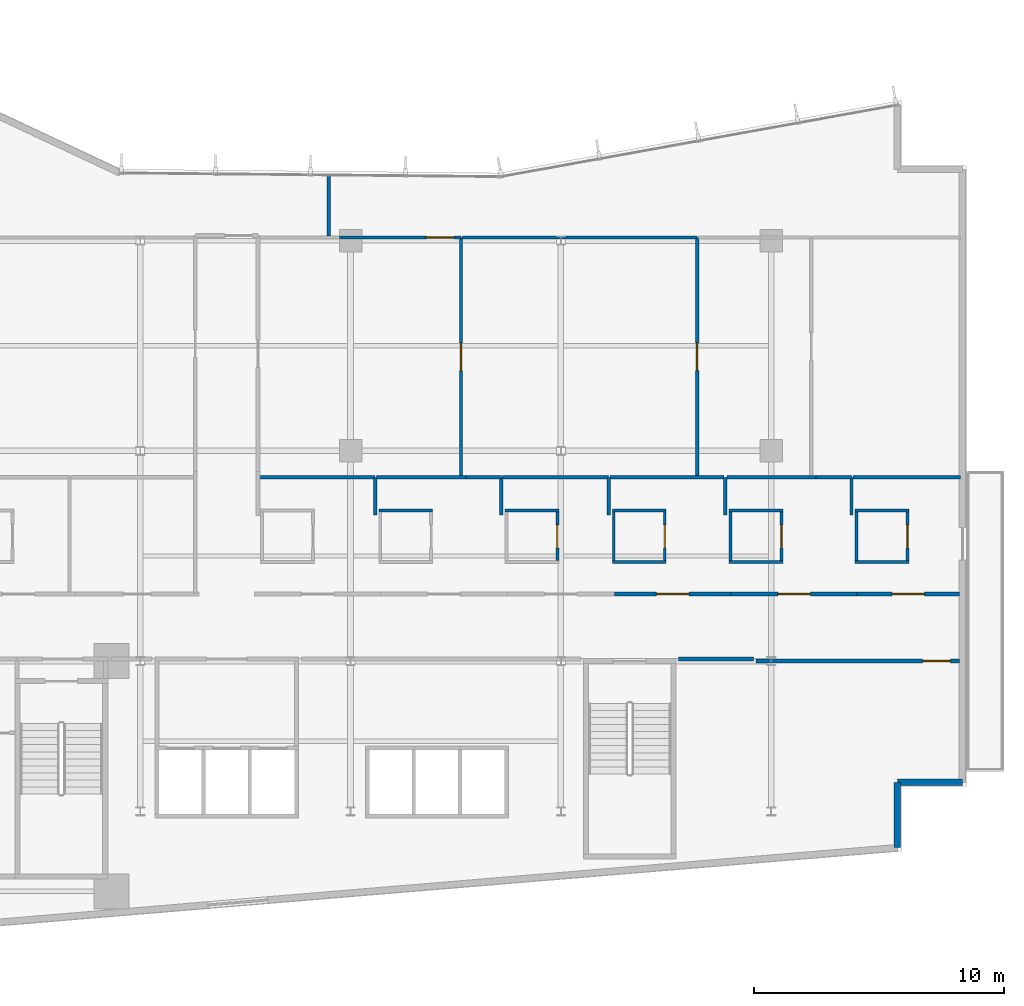
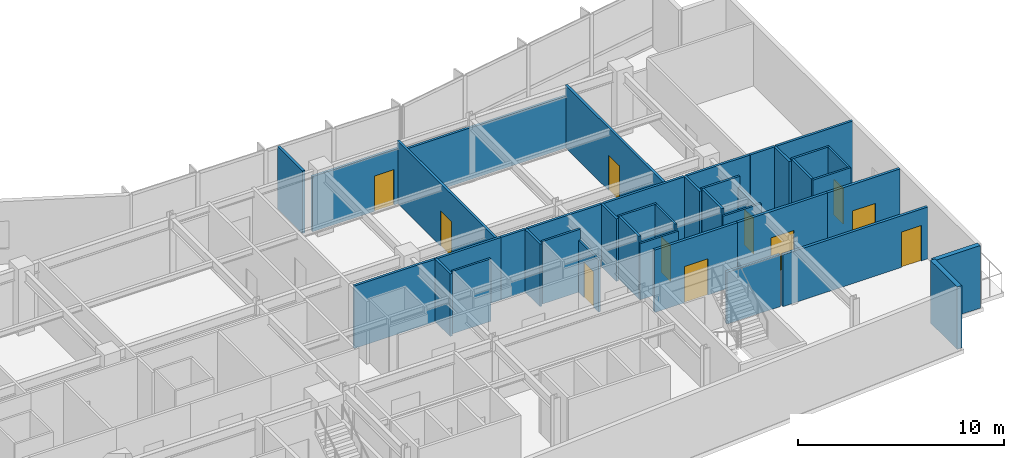
# One storey, part 13 of 19: 40 walls, 11 doors, 11 openings.
"""IFC4 building model written with IfcOpenShell, lengths in metres."""

from ifc_helpers import new_model, si_unit, direction, frame, frame_2d, origin, place, context, subcontext, project, spatial, rectangle, extrude, material, layer, layer_set, type_object, element, fill, save


model = new_model("IFC4")

# Units and contexts
model_context = context("Model", 3, precision=1e-05, world=origin(), true_north=direction((0.0, 1.0)))
body_context = subcontext(model_context, "Body", "Model", "MODEL_VIEW")
ifc_project = project(units=[si_unit("LENGTHUNIT", "METRE"), si_unit("AREAUNIT", "SQUARE_METRE"), si_unit("VOLUMEUNIT", "CUBIC_METRE"), si_unit("PLANEANGLEUNIT", "RADIAN"), si_unit("MASSUNIT", "GRAM", prefix="KILO")], contexts=[model_context])

# Site, building, storey
site_placement = place(None, origin())
site = spatial("IfcSite", under=ifc_project, at=site_placement, CompositionType="ELEMENT")
building_placement = place(site_placement, origin())
building = spatial("IfcBuilding", under=site, at=building_placement, Name="Varnakote Quay Hospital", CompositionType="ELEMENT")
storey_placement = place(building_placement, frame((0.0, 0.0, 50.14990234375)))
storey = spatial("IfcBuildingStorey", under=building, at=storey_placement, Name="L12", CompositionType="ELEMENT", Elevation=50.14990234375)

# Walls
ifc_material_1 = material(Name="Fire-rated acoustic gypsum stud wall", Category="gypsum")
ifc_layer_1 = layer(ifc_material_1, 0.159912109375)
ifc_layer_set_1 = layer_set([ifc_layer_1], Name="Fire-rated acoustic gypsum stud wall")
wall_type_1 = type_object("IfcWallType", Name="WL-COMP-160", PredefinedType="PARTITIONING", material=ifc_layer_set_1)
wall_1_placement = place(storey_placement, frame((46.689208984375, 12.080078125, 0.0), z_axis=(0.0, 0.0, 1.0), x_axis=(1.0, 0.0, 0.0)))
element("IfcWall", 1, at=wall_1_placement, inside=storey, type_object=wall_type_1, Name="L12 Corridor South Gap Wall", PredefinedType="PARTITIONING", context=body_context, shape_type="SweptSolid", body=[
    extrude(rectangle(XDim=3.0107421875, YDim=0.159912109375, at=frame_2d((1.50537109375, 0.0))), origin(), (0.0, 0.0, 1.0), 3.072998046875),
])
ifc_material_2 = material(Name="Moisture-resistant bathroom partition", Category="gypsum")
ifc_layer_2 = layer(ifc_material_2, 0.114990234375)
ifc_layer_set_2 = layer_set([ifc_layer_2], Name="Moisture-resistant bathroom partition")
wall_type_2 = type_object("IfcWallType", Name="WL-ENS-115", PredefinedType="PARTITIONING", material=ifc_layer_set_2)
wall_2_placement = place(storey_placement, frame((34.72509765625, 18.017578125, 0.0), z_axis=(0.0, 0.0, 1.0), x_axis=(1.0, 0.0, 0.0)))
element("IfcWall", 2, at=wall_2_placement, inside=storey, type_object=wall_type_2, Name="L12 Inpatient En-Suite Bathroom 05 N Wall", PredefinedType="PARTITIONING", context=body_context, shape_type="SweptSolid", body=[
    extrude(rectangle(XDim=2.14990234375, YDim=0.114990234375, at=frame_2d((1.074951171875, 0.0))), origin(), (0.0, 0.0, 1.0), 3.710205078125),
])
wall_3_placement = place(storey_placement, frame((39.764892578125, 18.017578125, 0.0), z_axis=(0.0, 0.0, 1.0), x_axis=(1.0, 0.0, 0.0)))
element("IfcWall", 3, at=wall_3_placement, inside=storey, type_object=wall_type_2, Name="L12 Inpatient En-Suite Bathroom 06 N Wall", PredefinedType="PARTITIONING", context=body_context, shape_type="SweptSolid", body=[
    extrude(rectangle(XDim=2.150146484375, YDim=0.114990234375, at=frame_2d((1.0751953125, 0.0))), origin(), (0.0, 0.0, 1.0), 3.710205078125),
])

# Wall, opening, door
wall_4_placement = place(storey_placement, frame((41.857421875, 16.010009765625, 0.0), z_axis=(0.0, 0.0, 1.0), x_axis=(0.0, 1.0, 0.0)))
wall_4 = element("IfcWall", 4, at=wall_4_placement, inside=storey, type_object=wall_type_2, Name="L12 Inpatient En-Suite Bathroom 06 E Wall", PredefinedType="PARTITIONING", context=body_context, shape_type="SweptSolid", body=[
    extrude(rectangle(XDim=1.949951171875, YDim=0.114990234375, at=frame_2d((0.97509765625, 0.0))), origin(), (0.0, 0.0, 1.0), 3.072998046875),
])
opening_1_placement = place(wall_4_placement, frame((0.514892578125, 0.0, 0.0)))
opening_1 = element("IfcOpeningElement", 5, at=opening_1_placement, cuts=wall_4, Name="Opening D-L12-ENS06", PredefinedType="OPENING", context=body_context, shape_type="SweptSolid", body=[
    extrude(rectangle(XDim=0.919921875, YDim=2.10009765625, at=frame_2d((0.4599609375, 1.050048828125))), frame((0.0, 0.0673828125, 0.0), z_axis=(0.0, -1.0, 0.0), x_axis=(1.0, 0.0, 0.0)), (0.0, 0.0, 1.0), 0.135009765625),
])
ifc_material_3 = material(Name="Moisture-sealed en-suite bathroom door")
door_type_1 = type_object("IfcDoorType", Name="DR-ENS-920x2100", OperationType="NOTDEFINED", PredefinedType="DOOR", material=ifc_material_3)
door_1_placement = place(opening_1_placement, origin())
door_1 = element("IfcDoor", 6, at=door_1_placement, inside=storey, type_object=door_type_1, Name="L12 Inpatient En-Suite Bathroom 06 Door", OperationType="SINGLE_SWING_RIGHT", OverallHeight=2.10009765625, OverallWidth=0.919921875, PredefinedType="DOOR", context=body_context, shape_type="SweptSolid", body=[
    extrude(rectangle(XDim=0.919921875, YDim=2.10009765625, at=frame_2d((0.4599609375, 1.050048828125))), frame((0.0, 0.02490234375, 0.0), z_axis=(0.0, -1.0, 0.0), x_axis=(1.0, 0.0, 0.0)), (0.0, 0.0, 1.0), 0.050048828125),
])
fill(opening_1, door_1)

# Walls
wall_5_placement = place(storey_placement, frame((44.054931640625, 15.952392578125, 0.0), z_axis=(0.0, 0.0, 1.0), x_axis=(1.0, 0.0, 0.0)))
element("IfcWall", 7, at=wall_5_placement, inside=storey, type_object=wall_type_2, Name="L12 Inpatient En-Suite Bathroom 07 S Wall", PredefinedType="PARTITIONING", context=body_context, shape_type="SweptSolid", body=[
    extrude(rectangle(XDim=2.150146484375, YDim=0.114990234375, at=frame_2d((1.0751953125, 0.0))), origin(), (0.0, 0.0, 1.0), 3.3291015625),
])
wall_6_placement = place(storey_placement, frame((44.054931640625, 18.017578125, 0.0), z_axis=(0.0, 0.0, 1.0), x_axis=(1.0, 0.0, 0.0)))
element("IfcWall", 8, at=wall_6_placement, inside=storey, type_object=wall_type_2, Name="L12 Inpatient En-Suite Bathroom 07 N Wall", PredefinedType="PARTITIONING", context=body_context, shape_type="SweptSolid", body=[
    extrude(rectangle(XDim=2.150146484375, YDim=0.114990234375, at=frame_2d((1.0751953125, 0.0))), origin(), (0.0, 0.0, 1.0), 3.710205078125),
])
wall_7_placement = place(storey_placement, frame((44.112548828125, 16.010009765625, 0.0), z_axis=(0.0, 0.0, 1.0), x_axis=(0.0, 1.0, 0.0)))
element("IfcWall", 9, at=wall_7_placement, inside=storey, type_object=wall_type_2, Name="L12 Inpatient En-Suite Bathroom 07 W Wall", PredefinedType="PARTITIONING", context=body_context, shape_type="SweptSolid", body=[
    extrude(rectangle(XDim=1.949951171875, YDim=0.114990234375, at=frame_2d((0.97509765625, 0.0))), origin(), (0.0, 0.0, 1.0), 3.710205078125),
])

# Wall, opening, door
wall_8_placement = place(storey_placement, frame((46.1474609375, 16.010009765625, 0.0), z_axis=(0.0, 0.0, 1.0), x_axis=(0.0, 1.0, 0.0)))
wall_8 = element("IfcWall", 10, at=wall_8_placement, inside=storey, type_object=wall_type_2, Name="L12 Inpatient En-Suite Bathroom 07 E Wall", PredefinedType="PARTITIONING", context=body_context, shape_type="SweptSolid", body=[
    extrude(rectangle(XDim=1.949951171875, YDim=0.114990234375, at=frame_2d((0.97509765625, 0.0))), origin(), (0.0, 0.0, 1.0), 3.710205078125),
])
opening_2_placement = place(wall_8_placement, frame((0.514892578125, 0.0, 0.0)))
opening_2 = element("IfcOpeningElement", 11, at=opening_2_placement, cuts=wall_8, Name="Opening D-L12-ENS07", PredefinedType="OPENING", context=body_context, shape_type="SweptSolid", body=[
    extrude(rectangle(XDim=0.919921875, YDim=2.10009765625, at=frame_2d((0.4599609375, 1.050048828125))), frame((0.0, 0.0673828125, 0.0), z_axis=(0.0, -1.0, 0.0), x_axis=(1.0, 0.0, 0.0)), (0.0, 0.0, 1.0), 0.135009765625),
])
door_2_placement = place(opening_2_placement, origin())
door_2 = element("IfcDoor", 12, at=door_2_placement, inside=storey, type_object=door_type_1, Name="L12 Inpatient En-Suite Bathroom 07 Door", OperationType="SINGLE_SWING_LEFT", OverallHeight=2.10009765625, OverallWidth=0.919921875, PredefinedType="DOOR", context=body_context, shape_type="SweptSolid", body=[
    extrude(rectangle(XDim=0.919921875, YDim=2.10009765625, at=frame_2d((0.4599609375, 1.050048828125))), frame((0.0, 0.02490234375, 0.0), z_axis=(0.0, -1.0, 0.0), x_axis=(1.0, 0.0, 0.0)), (0.0, 0.0, 1.0), 0.050048828125),
])
fill(opening_2, door_2)

# Walls
wall_9_placement = place(storey_placement, frame((48.715087890625, 15.952392578125, 0.0), z_axis=(0.0, 0.0, 1.0), x_axis=(1.0, 0.0, 0.0)))
element("IfcWall", 13, at=wall_9_placement, inside=storey, type_object=wall_type_2, Name="L12 Inpatient En-Suite Bathroom 08 S Wall", PredefinedType="PARTITIONING", context=body_context, shape_type="SweptSolid", body=[
    extrude(rectangle(XDim=2.14990234375, YDim=0.114990234375, at=frame_2d((1.074951171875, 0.0))), origin(), (0.0, 0.0, 1.0), 3.3291015625),
])
wall_10_placement = place(storey_placement, frame((48.715087890625, 18.017578125, 0.0), z_axis=(0.0, 0.0, 1.0), x_axis=(1.0, 0.0, 0.0)))
element("IfcWall", 14, at=wall_10_placement, inside=storey, type_object=wall_type_2, Name="L12 Inpatient En-Suite Bathroom 08 N Wall", PredefinedType="PARTITIONING", context=body_context, shape_type="SweptSolid", body=[
    extrude(rectangle(XDim=2.14990234375, YDim=0.114990234375, at=frame_2d((1.074951171875, 0.0))), origin(), (0.0, 0.0, 1.0), 3.710205078125),
])
wall_11_placement = place(storey_placement, frame((48.7724609375, 16.010009765625, 0.0), z_axis=(0.0, 0.0, 1.0), x_axis=(0.0, 1.0, 0.0)))
element("IfcWall", 15, at=wall_11_placement, inside=storey, type_object=wall_type_2, Name="L12 Inpatient En-Suite Bathroom 08 W Wall", PredefinedType="PARTITIONING", context=body_context, shape_type="SweptSolid", body=[
    extrude(rectangle(XDim=1.949951171875, YDim=0.114990234375, at=frame_2d((0.97509765625, 0.0))), origin(), (0.0, 0.0, 1.0), 3.710205078125),
])

# Wall, opening, door
wall_12_placement = place(storey_placement, frame((50.8076171875, 16.010009765625, 0.0), z_axis=(0.0, 0.0, 1.0), x_axis=(0.0, 1.0, 0.0)))
wall_12 = element("IfcWall", 16, at=wall_12_placement, inside=storey, type_object=wall_type_2, Name="L12 Inpatient En-Suite Bathroom 08 E Wall", PredefinedType="PARTITIONING", context=body_context, shape_type="SweptSolid", body=[
    extrude(rectangle(XDim=1.949951171875, YDim=0.114990234375, at=frame_2d((0.97509765625, 0.0))), origin(), (0.0, 0.0, 1.0), 3.072998046875),
])
opening_3_placement = place(wall_12_placement, frame((0.514892578125, 0.0, 0.0)))
opening_3 = element("IfcOpeningElement", 17, at=opening_3_placement, cuts=wall_12, Name="Opening D-L12-ENS08", PredefinedType="OPENING", context=body_context, shape_type="SweptSolid", body=[
    extrude(rectangle(XDim=0.919921875, YDim=2.10009765625, at=frame_2d((0.4599609375, 1.050048828125))), frame((0.0, 0.0673828125, 0.0), z_axis=(0.0, -1.0, 0.0), x_axis=(1.0, 0.0, 0.0)), (0.0, 0.0, 1.0), 0.135009765625),
])
door_3_placement = place(opening_3_placement, origin())
door_3 = element("IfcDoor", 18, at=door_3_placement, inside=storey, type_object=door_type_1, Name="L12 Inpatient En-Suite Bathroom 08 Door", OperationType="SINGLE_SWING_RIGHT", OverallHeight=2.10009765625, OverallWidth=0.919921875, PredefinedType="DOOR", context=body_context, shape_type="SweptSolid", body=[
    extrude(rectangle(XDim=0.919921875, YDim=2.10009765625, at=frame_2d((0.4599609375, 1.050048828125))), frame((0.0, 0.02490234375, 0.0), z_axis=(0.0, -1.0, 0.0), x_axis=(1.0, 0.0, 0.0)), (0.0, 0.0, 1.0), 0.050048828125),
])
fill(opening_3, door_3)

# Walls
for number, where, z_axis, x_axis, name in (
    (19, (53.7548828125, 15.952392578125, 0.0), (0.0, 0.0, 1.0), (1.0, 0.0, 0.0), "L12 Inpatient En-Suite Bathroom 09 S Wall"),
    (20, (53.7548828125, 18.017578125, 0.0), (0.0, 0.0, 1.0), (1.0, 0.0, 0.0), "L12 Inpatient En-Suite Bathroom 09 N Wall"),
):
    element("IfcWall", number, at=place(storey_placement, frame(where, z_axis=z_axis, x_axis=x_axis)), inside=storey, type_object=wall_type_2, Name=name, PredefinedType="PARTITIONING", context=body_context, shape_type="SweptSolid", body=[
        extrude(rectangle(XDim=2.150146484375, YDim=0.114990234375, at=frame_2d((1.0751953125, 0.0))), origin(), (0.0, 0.0, 1.0), 3.710205078125),
    ])
wall_13_placement = place(storey_placement, frame((53.8125, 16.010009765625, 0.0), z_axis=(0.0, 0.0, 1.0), x_axis=(0.0, 1.0, 0.0)))
element("IfcWall", 21, at=wall_13_placement, inside=storey, type_object=wall_type_2, Name="L12 Inpatient En-Suite Bathroom 09 W Wall", PredefinedType="PARTITIONING", context=body_context, shape_type="SweptSolid", body=[
    extrude(rectangle(XDim=1.949951171875, YDim=0.114990234375, at=frame_2d((0.97509765625, 0.0))), origin(), (0.0, 0.0, 1.0), 3.710205078125),
])

# Wall, opening, door
wall_14_placement = place(storey_placement, frame((55.847412109375, 16.010009765625, 0.0), z_axis=(0.0, 0.0, 1.0), x_axis=(0.0, 1.0, 0.0)))
wall_14 = element("IfcWall", 22, at=wall_14_placement, inside=storey, type_object=wall_type_2, Name="L12 Inpatient En-Suite Bathroom 09 E Wall", PredefinedType="PARTITIONING", context=body_context, shape_type="SweptSolid", body=[
    extrude(rectangle(XDim=1.949951171875, YDim=0.114990234375, at=frame_2d((0.97509765625, 0.0))), origin(), (0.0, 0.0, 1.0), 3.710205078125),
])
opening_4_placement = place(wall_14_placement, frame((0.514892578125, 0.0, 0.0)))
opening_4 = element("IfcOpeningElement", 23, at=opening_4_placement, cuts=wall_14, Name="Opening D-L12-ENS09", PredefinedType="OPENING", context=body_context, shape_type="SweptSolid", body=[
    extrude(rectangle(XDim=0.919921875, YDim=2.10009765625, at=frame_2d((0.4599609375, 1.050048828125))), frame((0.0, 0.0673828125, 0.0), z_axis=(0.0, -1.0, 0.0), x_axis=(1.0, 0.0, 0.0)), (0.0, 0.0, 1.0), 0.135009765625),
])
door_4_placement = place(opening_4_placement, origin())
door_4 = element("IfcDoor", 24, at=door_4_placement, inside=storey, type_object=door_type_1, Name="L12 Inpatient En-Suite Bathroom 09 Door", OperationType="SINGLE_SWING_LEFT", OverallHeight=2.10009765625, OverallWidth=0.919921875, PredefinedType="DOOR", context=body_context, shape_type="SweptSolid", body=[
    extrude(rectangle(XDim=0.919921875, YDim=2.10009765625, at=frame_2d((0.4599609375, 1.050048828125))), frame((0.0, 0.02490234375, 0.0), z_axis=(0.0, -1.0, 0.0), x_axis=(1.0, 0.0, 0.0)), (0.0, 0.0, 1.0), 0.050048828125),
])
fill(opening_4, door_4)

# Walls
ifc_material_4 = material(Name="Precast concrete N50 (f'c 50 MPa)", Category="concrete")
ifc_layer_3 = layer(ifc_material_4, 0.260009765625)
ifc_layer_set_3 = layer_set([ifc_layer_3], Name="Precast concrete N50 (f'c 50 MPa)")
wall_type_3 = type_object("IfcWallType", Name="WL-EXT-BRICK-260", PredefinedType="STANDARD", material=ifc_layer_set_3)
wall_15_placement = place(storey_placement, frame((55.43994140625, 4.54736328125, 0.0), z_axis=(0.0, 0.0, 1.0), x_axis=(0.0, 1.0, 0.0)))
element("IfcWall", 25, at=wall_15_placement, inside=storey, type_object=wall_type_3, Name="L12 Brick-Faced Precast Exterior Wall", PredefinedType="STANDARD", context=body_context, shape_type="SweptSolid", body=[
    extrude(rectangle(XDim=2.612548828125, YDim=0.260009765625, at=frame_2d((1.30615234375, 0.0))), origin(), (0.0, 0.0, 1.0), 3.710205078125),
])
wall_16_placement = place(storey_placement, frame((55.43994140625, 7.159912109375, 0.0), z_axis=(0.0, 0.0, 1.0), x_axis=(1.0, 0.0, 0.0)))
element("IfcWall", 26, at=wall_16_placement, inside=storey, type_object=wall_type_3, Name="L12 Brick-Faced Precast Exterior Wall", PredefinedType="STANDARD", context=body_context, shape_type="SweptSolid", body=[
    extrude(rectangle(XDim=2.60009765625, YDim=0.260009765625, at=frame_2d((1.300048828125, 0.0))), origin(), (0.0, 0.0, 1.0), 3.710205078125),
])
ifc_material_5 = material(Name="Smoke-proof clinical partition", Category="gypsum")
ifc_layer_4 = layer(ifc_material_5, 0.135009765625)
ifc_layer_set_4 = layer_set([ifc_layer_4], Name="Smoke-proof clinical partition")
wall_type_4 = type_object("IfcWallType", Name="WL-SMOKE-135", PredefinedType="PARTITIONING", material=ifc_layer_set_4)
wall_17_placement = place(storey_placement, frame((34.580078125, 17.83251953125, 0.0), z_axis=(0.0, 0.0, 1.0), x_axis=(0.0, 1.0, 0.0)))
element("IfcWall", 27, at=wall_17_placement, inside=storey, type_object=wall_type_4, Name="L12 Clinical Interior Partition", PredefinedType="PARTITIONING", context=body_context, shape_type="SweptSolid", body=[
    extrude(rectangle(XDim=1.507568359375, YDim=0.135009765625, at=frame_2d((0.75390625, 0.0))), origin(), (0.0, 0.0, 1.0), 3.710205078125),
])
wall_18_placement = place(storey_placement, frame((34.580078125, 19.340087890625, 0.0), z_axis=(0.0, 0.0, 1.0), x_axis=(-1.0, 0.0, 0.0)))
element("IfcWall", 28, at=wall_18_placement, inside=storey, type_object=wall_type_4, Name="L12 Clinical Interior Partition", PredefinedType="PARTITIONING", context=body_context, shape_type="SweptSolid", body=[
    extrude(rectangle(XDim=4.614990234375, YDim=0.135009765625, at=frame_2d((2.3076171875, 0.0))), origin(), (0.0, 0.0, 1.0), 3.710205078125),
])
wall_19_placement = place(storey_placement, frame((39.6201171875, 17.83251953125, 0.0), z_axis=(0.0, 0.0, 1.0), x_axis=(0.0, 1.0, 0.0)))
element("IfcWall", 29, at=wall_19_placement, inside=storey, type_object=wall_type_4, Name="L12 Clinical Interior Partition", PredefinedType="PARTITIONING", context=body_context, shape_type="SweptSolid", body=[
    extrude(rectangle(XDim=1.507568359375, YDim=0.135009765625, at=frame_2d((0.75390625, 0.0))), origin(), (0.0, 0.0, 1.0), 3.710205078125),
])
wall_20_placement = place(storey_placement, frame((38.20458984375, 19.340087890625, 0.0), z_axis=(0.0, 0.0, 1.0), x_axis=(-1.0, 0.0, 0.0)))
element("IfcWall", 30, at=wall_20_placement, inside=storey, type_object=wall_type_4, Name="L12 Clinical Interior Partition", PredefinedType="PARTITIONING", context=body_context, shape_type="SweptSolid", body=[
    extrude(rectangle(XDim=3.567138671875, YDim=0.135009765625, at=frame_2d((1.78369140625, 0.0))), origin(), (0.0, 0.0, 1.0), 3.710205078125),
])
wall_21_placement = place(storey_placement, frame((39.6201171875, 19.340087890625, 0.0), z_axis=(0.0, 0.0, 1.0), x_axis=(-1.0, 0.0, 0.0)))
element("IfcWall", 31, at=wall_21_placement, inside=storey, type_object=wall_type_4, Name="L12 Clinical Interior Partition", PredefinedType="PARTITIONING", context=body_context, shape_type="SweptSolid", body=[
    extrude(rectangle(XDim=1.41357421875, YDim=0.135009765625, at=frame_2d((0.706787109375, 0.0))), origin(), (0.0, 0.0, 1.0), 3.710205078125),
])
wall_22_placement = place(storey_placement, frame((43.909912109375, 17.83251953125, 0.0), z_axis=(0.0, 0.0, 1.0), x_axis=(0.0, 1.0, 0.0)))
element("IfcWall", 32, at=wall_22_placement, inside=storey, type_object=wall_type_4, Name="L12 Clinical Interior Partition", PredefinedType="PARTITIONING", context=body_context, shape_type="SweptSolid", body=[
    extrude(rectangle(XDim=1.507568359375, YDim=0.135009765625, at=frame_2d((0.75390625, 0.0))), origin(), (0.0, 0.0, 1.0), 3.710205078125),
])
wall_23_placement = place(storey_placement, frame((43.909912109375, 19.340087890625, 0.0), z_axis=(0.0, 0.0, 1.0), x_axis=(-1.0, 0.0, 0.0)))
element("IfcWall", 33, at=wall_23_placement, inside=storey, type_object=wall_type_4, Name="L12 Clinical Interior Partition", PredefinedType="PARTITIONING", context=body_context, shape_type="SweptSolid", body=[
    extrude(rectangle(XDim=4.232421875, YDim=0.135009765625, at=frame_2d((2.1162109375, 0.0))), origin(), (0.0, 0.0, 1.0), 3.710205078125),
])
wall_24_placement = place(storey_placement, frame((48.570068359375, 17.83251953125, 0.0), z_axis=(0.0, 0.0, 1.0), x_axis=(0.0, 1.0, 0.0)))
element("IfcWall", 34, at=wall_24_placement, inside=storey, type_object=wall_type_4, Name="L12 Clinical Interior Partition", PredefinedType="PARTITIONING", context=body_context, shape_type="SweptSolid", body=[
    extrude(rectangle(XDim=1.507568359375, YDim=0.135009765625, at=frame_2d((0.75390625, 0.0))), origin(), (0.0, 0.0, 1.0), 3.710205078125),
])
wall_25_placement = place(storey_placement, frame((48.512451171875, 19.340087890625, 0.0), z_axis=(0.0, 0.0, 1.0), x_axis=(-1.0, 0.0, 0.0)))
element("IfcWall", 35, at=wall_25_placement, inside=storey, type_object=wall_type_4, Name="L12 Clinical Interior Partition", PredefinedType="PARTITIONING", context=body_context, shape_type="SweptSolid", body=[
    extrude(rectangle(XDim=4.544921875, YDim=0.135009765625, at=frame_2d((2.2724609375, 0.0))), origin(), (0.0, 0.0, 1.0), 3.710205078125),
])
wall_26_placement = place(storey_placement, frame((53.610107421875, 17.83251953125, 0.0), z_axis=(0.0, 0.0, 1.0), x_axis=(0.0, 1.0, 0.0)))
element("IfcWall", 36, at=wall_26_placement, inside=storey, type_object=wall_type_4, Name="L12 Clinical Interior Partition", PredefinedType="PARTITIONING", context=body_context, shape_type="SweptSolid", body=[
    extrude(rectangle(XDim=1.507568359375, YDim=0.135009765625, at=frame_2d((0.75390625, 0.0))), origin(), (0.0, 0.0, 1.0), 3.710205078125),
])
wall_27_placement = place(storey_placement, frame((52.194580078125, 19.340087890625, 0.0), z_axis=(0.0, 0.0, 1.0), x_axis=(-1.0, 0.0, 0.0)))
element("IfcWall", 37, at=wall_27_placement, inside=storey, type_object=wall_type_4, Name="L12 Clinical Interior Partition", PredefinedType="PARTITIONING", context=body_context, shape_type="SweptSolid", body=[
    extrude(rectangle(XDim=3.567138671875, YDim=0.135009765625, at=frame_2d((1.78369140625, 0.0))), origin(), (0.0, 0.0, 1.0), 3.710205078125),
])
wall_28_placement = place(storey_placement, frame((53.610107421875, 19.340087890625, 0.0), z_axis=(0.0, 0.0, 1.0), x_axis=(-1.0, 0.0, 0.0)))
element("IfcWall", 38, at=wall_28_placement, inside=storey, type_object=wall_type_4, Name="L12 Clinical Interior Partition", PredefinedType="PARTITIONING", context=body_context, shape_type="SweptSolid", body=[
    extrude(rectangle(XDim=1.41357421875, YDim=0.135009765625, at=frame_2d((0.706787109375, 0.0))), origin(), (0.0, 0.0, 1.0), 3.710205078125),
])
wall_29_placement = place(storey_placement, frame((57.9599609375, 19.340087890625, 0.0), z_axis=(0.0, 0.0, 1.0), x_axis=(-1.0, 0.0, 0.0)))
element("IfcWall", 39, at=wall_29_placement, inside=storey, type_object=wall_type_4, Name="L12 Clinical Interior Partition", PredefinedType="PARTITIONING", context=body_context, shape_type="SweptSolid", body=[
    extrude(rectangle(XDim=4.29248046875, YDim=0.135009765625, at=frame_2d((2.146240234375, 0.0))), origin(), (0.0, 0.0, 1.0), 3.710205078125),
])

# Wall, opening, door
wall_30_placement = place(storey_placement, frame((38.010009765625, 19.3974609375, 0.0), z_axis=(0.0, 0.0, 1.0), x_axis=(0.0, 1.0, 0.0)))
wall_30 = element("IfcWall", 40, at=wall_30_placement, inside=storey, type_object=wall_type_4, Name="L12 Clinical Interior Partition", PredefinedType="PARTITIONING", context=body_context, shape_type="SweptSolid", body=[
    extrude(rectangle(XDim=9.5224609375, YDim=0.135009765625, at=frame_2d((4.76123046875, 0.0))), origin(), (0.0, 0.0, 1.0), 3.710205078125),
])
opening_5_placement = place(wall_30_placement, frame((4.211181640625, 0.0, 0.0)))
opening_5 = element("IfcOpeningElement", 41, at=opening_5_placement, cuts=wall_30, Name="Opening D-L12-MD08", PredefinedType="OPENING", context=body_context, shape_type="SweptSolid", body=[
    extrude(rectangle(XDim=1.10009765625, YDim=2.10009765625, at=frame_2d((0.550048828125, 1.050048828125))), frame((0.0, 0.077392578125, 0.0), z_axis=(0.0, -1.0, 0.0), x_axis=(1.0, 0.0, 0.0)), (0.0, 0.0, 1.0), 0.155029296875),
])
ifc_material_6 = material(Name="Acoustic timber clinical consult door", Category="wood")
door_type_2 = type_object("IfcDoorType", Name="DR-CLIN-FD30S-1100x2100", OperationType="NOTDEFINED", PredefinedType="DOOR", material=ifc_material_6)
door_5_placement = place(opening_5_placement, origin())
door_5 = element("IfcDoor", 42, at=door_5_placement, inside=storey, type_object=door_type_2, Name="L12 Clinical Education Teaching Room Door", OperationType="SINGLE_SWING_LEFT", OverallHeight=2.10009765625, OverallWidth=1.10009765625, PredefinedType="DOOR", context=body_context, shape_type="SweptSolid", body=[
    extrude(rectangle(XDim=1.10009765625, YDim=2.10009765625, at=frame_2d((0.550048828125, 1.050048828125))), frame((0.0, 0.02490234375, 0.0), z_axis=(0.0, -1.0, 0.0), x_axis=(1.0, 0.0, 0.0)), (0.0, 0.0, 1.0), 0.050048828125),
])
fill(opening_5, door_5)

wall_31_placement = place(storey_placement, frame((38.010009765625, 28.919921875, 0.0), z_axis=(0.0, 0.0, 1.0), x_axis=(-1.0, 0.0, 0.0)))
wall_31 = element("IfcWall", 43, at=wall_31_placement, inside=storey, type_object=wall_type_4, Name="L12 Clinical Interior Partition", PredefinedType="PARTITIONING", context=body_context, shape_type="SweptSolid", body=[
    extrude(rectangle(XDim=4.85791015625, YDim=0.135009765625, at=frame_2d((2.428955078125, 0.0))), origin(), (0.0, 0.0, 1.0), 3.279052734375),
])
opening_6_placement = place(wall_31_placement, frame((0.283935546875, 0.0, 0.0)))
opening_6 = element("IfcOpeningElement", 44, at=opening_6_placement, cuts=wall_31, Name="Opening D-L12-MD12", PredefinedType="OPENING", context=body_context, shape_type="SweptSolid", body=[
    extrude(rectangle(XDim=1.10009765625, YDim=2.10009765625, at=frame_2d((0.550048828125, 1.050048828125))), frame((0.0, 0.077392578125, 0.0), z_axis=(0.0, -1.0, 0.0), x_axis=(1.0, 0.0, 0.0)), (0.0, 0.0, 1.0), 0.155029296875),
])
door_6_placement = place(opening_6_placement, origin())
door_6 = element("IfcDoor", 45, at=door_6_placement, inside=storey, type_object=door_type_2, Name="L12 Clinical Education Teaching Room Door", OperationType="SINGLE_SWING_RIGHT", OverallHeight=2.10009765625, OverallWidth=1.10009765625, PredefinedType="DOOR", context=body_context, shape_type="SweptSolid", body=[
    extrude(rectangle(XDim=1.10009765625, YDim=2.10009765625, at=frame_2d((0.550048828125, 1.050048828125))), frame((0.0, 0.02490234375, 0.0), z_axis=(0.0, -1.0, 0.0), x_axis=(1.0, 0.0, 0.0)), (0.0, 0.0, 1.0), 0.050048828125),
])
fill(opening_6, door_6)

wall_32_placement = place(storey_placement, frame((47.43994140625, 19.3974609375, 0.0), z_axis=(0.0, 0.0, 1.0), x_axis=(0.0, 1.0, 0.0)))
wall_32 = element("IfcWall", 46, at=wall_32_placement, inside=storey, type_object=wall_type_4, Name="L12 Clinical Interior Partition", PredefinedType="PARTITIONING", context=body_context, shape_type="SweptSolid", body=[
    extrude(rectangle(XDim=9.5224609375, YDim=0.135009765625, at=frame_2d((4.76123046875, 0.0))), origin(), (0.0, 0.0, 1.0), 3.710205078125),
])
opening_7_placement = place(wall_32_placement, frame((4.211181640625, 0.0, 0.0)))
opening_7 = element("IfcOpeningElement", 47, at=opening_7_placement, cuts=wall_32, Name="Opening D-L12-MD09", PredefinedType="OPENING", context=body_context, shape_type="SweptSolid", body=[
    extrude(rectangle(XDim=1.10009765625, YDim=2.10009765625, at=frame_2d((0.550048828125, 1.050048828125))), frame((0.0, 0.077392578125, 0.0), z_axis=(0.0, -1.0, 0.0), x_axis=(1.0, 0.0, 0.0)), (0.0, 0.0, 1.0), 0.155029296875),
])
door_7_placement = place(opening_7_placement, origin())
door_7 = element("IfcDoor", 48, at=door_7_placement, inside=storey, type_object=door_type_2, Name="L12 Multidisciplinary Clinical Consultation Suite Door", OperationType="SINGLE_SWING_LEFT", OverallHeight=2.10009765625, OverallWidth=1.10009765625, PredefinedType="DOOR", context=body_context, shape_type="SweptSolid", body=[
    extrude(rectangle(XDim=1.10009765625, YDim=2.10009765625, at=frame_2d((0.550048828125, 1.050048828125))), frame((0.0, 0.02490234375, 0.0), z_axis=(0.0, -1.0, 0.0), x_axis=(1.0, 0.0, 0.0)), (0.0, 0.0, 1.0), 0.050048828125),
])
fill(opening_7, door_7)

# Walls
wall_33_placement = place(storey_placement, frame((47.43994140625, 28.919921875, 0.0), z_axis=(0.0, 0.0, 1.0), x_axis=(-1.0, 0.0, 0.0)))
element("IfcWall", 49, at=wall_33_placement, inside=storey, type_object=wall_type_4, Name="L12 Clinical Interior Partition", PredefinedType="PARTITIONING", context=body_context, shape_type="SweptSolid", body=[
    extrude(rectangle(XDim=9.37255859375, YDim=0.135009765625, at=frame_2d((4.686279296875, 0.0))), origin(), (0.0, 0.0, 1.0), 3.072998046875),
])
wall_34_placement = place(storey_placement, frame((32.72998046875, 28.9775390625, 0.0), z_axis=(0.0, 0.0, 1.0), x_axis=(0.0, 1.0, 0.0)))
element("IfcWall", 50, at=wall_34_placement, inside=storey, type_object=wall_type_4, Name="L12 Clinical Interior Partition", PredefinedType="PARTITIONING", context=body_context, shape_type="SweptSolid", body=[
    extrude(rectangle(XDim=2.433349609375, YDim=0.135009765625, at=frame_2d((1.216796875, 0.0))), origin(), (0.0, 0.0, 1.0), 3.710205078125),
])

# Wall, opening, door
ifc_material_7 = material(Name="Fire-rated clinical gypsum partition", Category="gypsum")
ifc_layer_5 = layer(ifc_material_7, 0.14990234375)
ifc_layer_set_5 = layer_set([ifc_layer_5], Name="Fire-rated clinical gypsum partition")
wall_type_5 = type_object("IfcWallType", Name="WL-WARD-150", PredefinedType="PARTITIONING", material=ifc_layer_set_5)
wall_35_placement = place(storey_placement, frame((57.919921875, 12.0, 0.0), z_axis=(0.0, 0.0, 1.0), x_axis=(-1.0, 0.0, 0.0)))
wall_35 = element("IfcWall", 51, at=wall_35_placement, inside=storey, type_object=wall_type_5, Name="L12 Clinical Interior Partition", PredefinedType="PARTITIONING", context=body_context, shape_type="SweptSolid", body=[
    extrude(rectangle(XDim=8.119873046875, YDim=0.14990234375, at=frame_2d((4.06005859375, 0.0))), origin(), (0.0, 0.0, 1.0), 3.072998046875),
])
opening_8_placement = place(wall_35_placement, frame((0.365478515625, 0.0, 0.0)))
opening_8 = element("IfcOpeningElement", 52, at=opening_8_placement, cuts=wall_35, Name="Opening D-L12-SE1", PredefinedType="OPENING", context=body_context, shape_type="SweptSolid", body=[
    extrude(rectangle(XDim=1.10009765625, YDim=2.10009765625, at=frame_2d((0.550048828125, 1.050048828125))), frame((0.0, 0.0849609375, 0.0), z_axis=(0.0, -1.0, 0.0), x_axis=(1.0, 0.0, 0.0)), (0.0, 0.0, 1.0), 0.169921875),
])
door_8_placement = place(opening_8_placement, origin())
door_8 = element("IfcDoor", 53, at=door_8_placement, inside=storey, type_object=door_type_2, Name="L12 Clinical Biomedical Engineering Office Door", OperationType="SINGLE_SWING_RIGHT", OverallHeight=2.10009765625, OverallWidth=1.10009765625, PredefinedType="DOOR", context=body_context, shape_type="SweptSolid", body=[
    extrude(rectangle(XDim=1.10009765625, YDim=2.10009765625, at=frame_2d((0.550048828125, 1.050048828125))), frame((0.0, 0.02490234375, 0.0), z_axis=(0.0, -1.0, 0.0), x_axis=(1.0, 0.0, 0.0)), (0.0, 0.0, 1.0), 0.050048828125),
])
fill(opening_8, door_8)

wall_36_placement = place(storey_placement, frame((48.7958984375, 14.679931640625, 0.0), z_axis=(0.0, 0.0, 1.0), x_axis=(-1.0, 0.0, 0.0)))
wall_36 = element("IfcWall", 54, at=wall_36_placement, inside=storey, type_object=wall_type_5, Name="L12 Clinical Interior Partition", PredefinedType="PARTITIONING", context=body_context, shape_type="SweptSolid", body=[
    extrude(rectangle(XDim=4.657958984375, YDim=0.14990234375, at=frame_2d((2.3291015625, 0.0))), origin(), (0.0, 0.0, 1.0), 3.710205078125),
])
opening_9_placement = place(wall_36_placement, frame((1.678955078125, 0.0, 0.0)))
opening_9 = element("IfcOpeningElement", 55, at=opening_9_placement, cuts=wall_36, Name="Opening D-L12-BR07", PredefinedType="OPENING", context=body_context, shape_type="SweptSolid", body=[
    extrude(rectangle(XDim=1.300048828125, YDim=2.14990234375, at=frame_2d((0.64990234375, 1.074951171875))), frame((0.0, 0.0849609375, 0.0), z_axis=(0.0, -1.0, 0.0), x_axis=(1.0, 0.0, 0.0)), (0.0, 0.0, 1.0), 0.169921875),
])
ifc_material_8 = material(Name="Solid-core timber clinical bed door", Category="wood")
door_type_3 = type_object("IfcDoorType", Name="DR-WARD-FD30S-1300x2150", OperationType="NOTDEFINED", PredefinedType="DOOR", material=ifc_material_8)
door_9_placement = place(opening_9_placement, origin())
door_9 = element("IfcDoor", 56, at=door_9_placement, inside=storey, type_object=door_type_3, Name="L12 Resident Care Bedroom 07 Door", OperationType="SINGLE_SWING_RIGHT", OverallHeight=2.14990234375, OverallWidth=1.300048828125, PredefinedType="DOOR", context=body_context, shape_type="SweptSolid", body=[
    extrude(rectangle(XDim=1.300048828125, YDim=2.14990234375, at=frame_2d((0.64990234375, 1.074951171875))), frame((0.0, 0.02490234375, 0.0), z_axis=(0.0, -1.0, 0.0), x_axis=(1.0, 0.0, 0.0)), (0.0, 0.0, 1.0), 0.050048828125),
])
fill(opening_9, door_9)

wall_37_placement = place(storey_placement, frame((53.8359375, 14.679931640625, 0.0), z_axis=(0.0, 0.0, 1.0), x_axis=(-1.0, 0.0, 0.0)))
wall_37 = element("IfcWall", 57, at=wall_37_placement, inside=storey, type_object=wall_type_5, Name="L12 Clinical Interior Partition", PredefinedType="PARTITIONING", context=body_context, shape_type="SweptSolid", body=[
    extrude(rectangle(XDim=5.037841796875, YDim=0.14990234375, at=frame_2d((2.51904296875, 0.0))), origin(), (0.0, 0.0, 1.0), 3.710205078125),
])
opening_10_placement = place(wall_37_placement, frame((1.868896484375, 0.0, 0.0)))
opening_10 = element("IfcOpeningElement", 58, at=opening_10_placement, cuts=wall_37, Name="Opening D-L12-BR08", PredefinedType="OPENING", context=body_context, shape_type="SweptSolid", body=[
    extrude(rectangle(XDim=1.300048828125, YDim=2.14990234375, at=frame_2d((0.64990234375, 1.074951171875))), frame((0.0, 0.0849609375, 0.0), z_axis=(0.0, -1.0, 0.0), x_axis=(1.0, 0.0, 0.0)), (0.0, 0.0, 1.0), 0.169921875),
])
door_10_placement = place(opening_10_placement, origin())
door_10 = element("IfcDoor", 59, at=door_10_placement, inside=storey, type_object=door_type_3, Name="L12 Resident Care Bedroom 08 Door", OperationType="SINGLE_SWING_LEFT", OverallHeight=2.14990234375, OverallWidth=1.300048828125, PredefinedType="DOOR", context=body_context, shape_type="SweptSolid", body=[
    extrude(rectangle(XDim=1.300048828125, YDim=2.14990234375, at=frame_2d((0.64990234375, 1.074951171875))), frame((0.0, 0.02490234375, 0.0), z_axis=(0.0, -1.0, 0.0), x_axis=(1.0, 0.0, 0.0)), (0.0, 0.0, 1.0), 0.050048828125),
])
fill(opening_10, door_10)

wall_38_placement = place(storey_placement, frame((57.919921875, 14.679931640625, 0.0), z_axis=(0.0, 0.0, 1.0), x_axis=(-1.0, 0.0, 0.0)))
wall_38 = element("IfcWall", 60, at=wall_38_placement, inside=storey, type_object=wall_type_5, Name="L12 Clinical Interior Partition", PredefinedType="PARTITIONING", context=body_context, shape_type="SweptSolid", body=[
    extrude(rectangle(XDim=4.08203125, YDim=0.14990234375, at=frame_2d((2.041015625, 0.0))), origin(), (0.0, 0.0, 1.0), 3.710205078125),
])
opening_11_placement = place(wall_38_placement, frame((1.39111328125, 0.0, 0.0)))
opening_11 = element("IfcOpeningElement", 61, at=opening_11_placement, cuts=wall_38, Name="Opening D-L12-BR09", PredefinedType="OPENING", context=body_context, shape_type="SweptSolid", body=[
    extrude(rectangle(XDim=1.300048828125, YDim=2.14990234375, at=frame_2d((0.64990234375, 1.074951171875))), frame((0.0, 0.0849609375, 0.0), z_axis=(0.0, -1.0, 0.0), x_axis=(1.0, 0.0, 0.0)), (0.0, 0.0, 1.0), 0.169921875),
])
door_11_placement = place(opening_11_placement, origin())
door_11 = element("IfcDoor", 62, at=door_11_placement, inside=storey, type_object=door_type_3, Name="L12 Resident Care Bedroom 09 Door", OperationType="SINGLE_SWING_RIGHT", OverallHeight=2.14990234375, OverallWidth=1.300048828125, PredefinedType="DOOR", context=body_context, shape_type="SweptSolid", body=[
    extrude(rectangle(XDim=1.300048828125, YDim=2.14990234375, at=frame_2d((0.64990234375, 1.074951171875))), frame((0.0, 0.02490234375, 0.0), z_axis=(0.0, -1.0, 0.0), x_axis=(1.0, 0.0, 0.0)), (0.0, 0.0, 1.0), 0.050048828125),
])
fill(opening_11, door_11)

save(model, "model.ifc")
